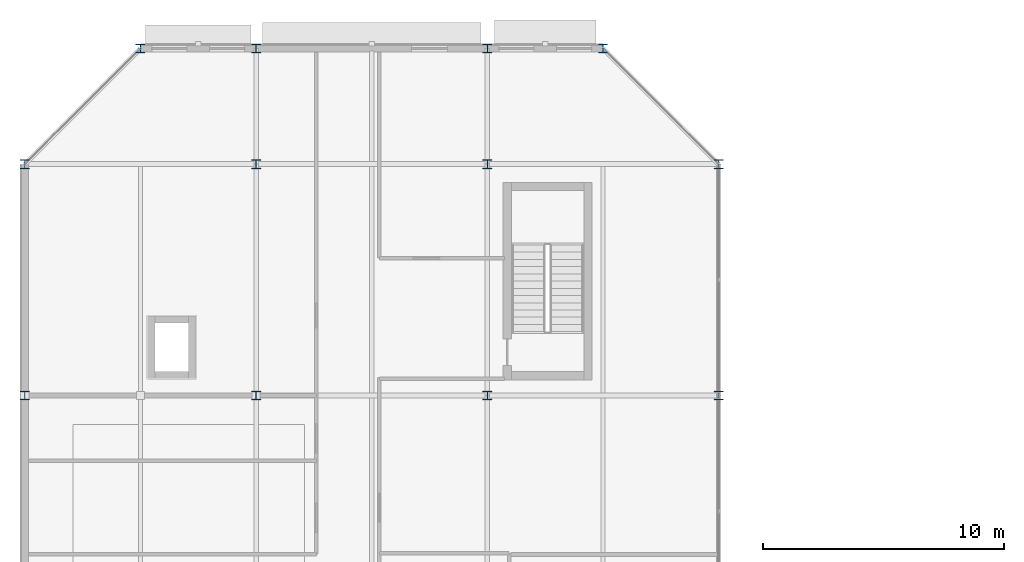
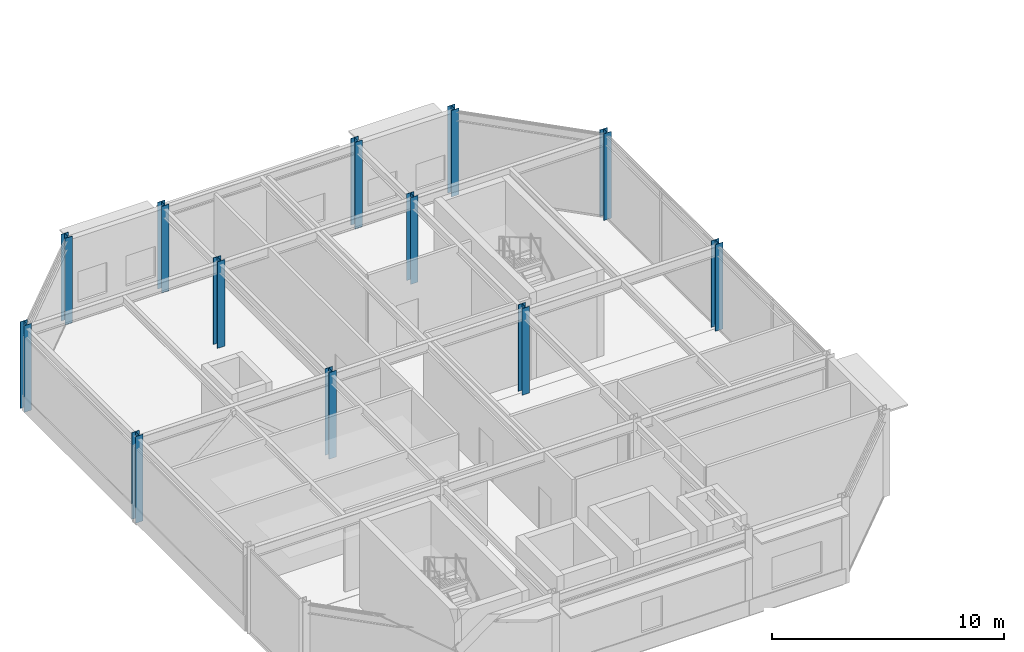
# One storey, part 9 of 116: 12 columns.
"""IFC4 building model written with IfcOpenShell, lengths in metres."""

import ifcopenshell
import ifcopenshell.guid

model = None  # the IFC model being written
_history = None  # IfcOwnerHistory: only IFC2X3 demands one
_inside = {}  # id of a spatial element -> (the spatial element, [elements in it])
_under = {}  # id of a project, library or spatial element -> (it, [spatial elements below it])
_declared = {}  # id of a project -> (the project, [libraries it declares])
_typed = {}  # id of a type object -> (the type object, [elements of that type])
_made_of = {}  # id of a material, layer set ... -> (it, [elements and type objects made of it])


def new_model(schema):
    """Start an empty IFC model of exactly this schema.

    Asked for "IFC4X3", IfcOpenShell would pick the latest addendum, in which some entities
    have other attributes; the version numbers below select the first issue.
    IFC2X3 requires an IfcOwnerHistory on every rooted entity: one is made here for all.
    """
    global model, _history
    if schema == "IFC4X3":
        model = ifcopenshell.file(schema_version=(4, 3, 0, 0))
    else:
        model = ifcopenshell.file(schema=schema)
    _inside.clear()
    _under.clear()
    _declared.clear()
    _typed.clear()
    _made_of.clear()
    _history = None
    if model.schema == "IFC2X3":
        org = make("IfcOrganization", Name="unknown")
        user = make(
            "IfcPersonAndOrganization",
            ThePerson=make("IfcPerson", FamilyName="unknown"),
            TheOrganization=org,
        )
        app = make(
            "IfcApplication",
            ApplicationDeveloper=org,
            Version="unknown",
            ApplicationFullName="unknown",
            ApplicationIdentifier="unknown",
        )
        _history = make(
            "IfcOwnerHistory",
            OwningUser=user,
            OwningApplication=app,
            ChangeAction="ADDED",
            CreationDate=0,
        )
    return model


def make(cls, **values):
    """One entity of the class cls with the attributes given. An attribute that is None is left unset."""
    return model.create_entity(
        cls, **{name: value for name, value in values.items() if value is not None}
    )


def rooted(cls, **values):
    """An entity with a GlobalId (a new one), such as an element, a storey or a relation."""
    return make(cls, GlobalId=ifcopenshell.guid.new(), OwnerHistory=_history, **values)


def si_unit(unit_type, name, prefix=None):
    """IfcSIUnit, for example si_unit("LENGTHUNIT", "METRE", prefix="MILLI")."""
    return make("IfcSIUnit", UnitType=unit_type, Prefix=prefix, Name=name)


def assignment(units):
    """IfcUnitAssignment: the units of a project."""
    return None if units is None else make("IfcUnitAssignment", Units=units)


def point(xyz):
    """IfcCartesianPoint."""
    return None if xyz is None else make("IfcCartesianPoint", Coordinates=xyz)


def direction(xyz):
    """IfcDirection."""
    return None if xyz is None else make("IfcDirection", DirectionRatios=xyz)


def frame(location, z_axis=None, x_axis=None):
    """IfcAxis2Placement3D, a coordinate frame: its origin and axes. An axis left out is left unset."""
    return make(
        "IfcAxis2Placement3D",
        Location=point(location),
        Axis=direction(z_axis),
        RefDirection=direction(x_axis),
    )


def frame_2d(location, x_axis=None):
    """IfcAxis2Placement2D, a coordinate frame in the plane: its origin and x axis."""
    return make(
        "IfcAxis2Placement2D", Location=point(location), RefDirection=direction(x_axis)
    )


def origin():
    """The frame at (0, 0, 0) with its axes left unset."""
    return frame((0.0, 0.0, 0.0))


def origin_2d():
    """The frame at (0, 0) in the plane with its x axis left unset."""
    return frame_2d((0.0, 0.0))


def place(relative_to, where):
    """IfcLocalPlacement: puts the frame where relative to a parent placement (None: the world)."""
    return make(
        "IfcLocalPlacement", PlacementRelTo=relative_to, RelativePlacement=where
    )


def context(
    kind, dimensions, precision=None, world=None, true_north=None, identifier=None
):
    """IfcGeometricRepresentationContext, for example the 3D "Model" context."""
    return make(
        "IfcGeometricRepresentationContext",
        ContextIdentifier=identifier,
        ContextType=kind,
        CoordinateSpaceDimension=dimensions,
        Precision=precision,
        WorldCoordinateSystem=world,
        TrueNorth=true_north,
    )


def subcontext(parent, identifier, kind, view, scale=None):
    """IfcGeometricRepresentationSubContext, for example "Body" below "Model"."""
    return make(
        "IfcGeometricRepresentationSubContext",
        ContextIdentifier=identifier,
        ContextType=kind,
        ParentContext=parent,
        TargetScale=scale,
        TargetView=view,
    )


def project(units=None, contexts=None):
    """IfcProject with its units and contexts."""
    return rooted(
        "IfcProject",
        Name="project",
        RepresentationContexts=contexts,
        UnitsInContext=assignment(units),
    )


def spatial(cls, under=None, at=None, **own):
    """A site, building, storey or space (cls), placed at a placement, below another one or the project."""
    s = rooted(cls, ObjectPlacement=at, **own)
    if under is not None:
        _under.setdefault(under.id(), (under, []))[1].append(s)
    return s


def profile(cls, at=None, kind="AREA", **sizes):
    """A parametric profile (cls). Its sizes go by their IFC names, for example OverallWidth=200.0."""
    return make(cls, ProfileType=kind, Position=at, **sizes)


def i_section(**sizes):
    """IfcIShapeProfileDef."""
    return profile("IfcIShapeProfileDef", **sizes)


def extrude(swept, where, along, depth):
    """IfcExtrudedAreaSolid: the profile swept, set in the frame where, extruded along a direction by depth."""
    return make(
        "IfcExtrudedAreaSolid",
        SweptArea=swept,
        Position=where,
        ExtrudedDirection=direction(along),
        Depth=depth,
    )


def shape(context_of_items, identifier, shape_type, items):
    """IfcShapeRepresentation: the items that make up one representation, for example the "Body"."""
    return make(
        "IfcShapeRepresentation",
        ContextOfItems=context_of_items,
        RepresentationIdentifier=identifier,
        RepresentationType=shape_type,
        Items=items,
    )


def material(Name=None, Category=None):
    """IfcMaterial."""
    return make("IfcMaterial", Name=Name, Category=Category)


def material_profile(
    of_material, cross_section, Name=None, Category=None, Priority=None
):
    """IfcMaterialProfile: a cross section and its material."""
    return make(
        "IfcMaterialProfile",
        Name=Name,
        Material=of_material,
        Profile=cross_section,
        Priority=Priority,
        Category=Category,
    )


def profile_set(profiles, Name=None, composite=None):
    """IfcMaterialProfileSet."""
    return make(
        "IfcMaterialProfileSet",
        Name=Name,
        MaterialProfiles=profiles,
        CompositeProfile=composite,
    )


def made_of(thing, what):
    """Note that an element or type object is made of a material, layer set ...; save() writes the relation."""
    if what is not None:
        _made_of.setdefault(what.id(), (what, []))[1].append(thing)
    return thing


def type_object(cls, material=None, **own):
    """A type object (cls), such as IfcWallType, which elements share."""
    return made_of(rooted(cls, **own), material)


def element(
    cls,
    number,
    at=None,
    inside=None,
    cuts=None,
    type_object=None,
    material=None,
    context=None,
    identifier="Body",
    shape_type=None,
    held_by="IfcProductDefinitionShape",
    body=None,
    shapes=None,
    **own,
):
    """One element of the class cls, such as IfcWall. Its Tag is "e" and its number.

    at: its placement. inside: the storey or other place that contains it. cuts: it is an
    opening in that element (IfcRelVoidsElement). A single representation is given by context,
    identifier, shape_type and body (its items); several are given by shapes. held_by: the class
    of the entity that holds the representations. save() writes the other relations.
    """
    e = rooted(cls, Tag="e%d" % number, ObjectPlacement=at, **own)
    if body is not None:
        shapes = [shape(context, identifier, shape_type, body)]
    if shapes is not None:
        e.Representation = make(held_by, Representations=shapes)
    if inside is not None:
        _inside.setdefault(inside.id(), (inside, []))[1].append(e)
    if cuts is not None:
        rooted(
            "IfcRelVoidsElement", RelatingBuildingElement=cuts, RelatedOpeningElement=e
        )
    if type_object is not None:
        _typed.setdefault(type_object.id(), (type_object, []))[1].append(e)
    return made_of(e, material)


def aggregate(whole, parts):
    """IfcRelAggregates: a whole, such as a stair, and the parts it consists of."""
    return rooted("IfcRelAggregates", RelatingObject=whole, RelatedObjects=parts)


def save(model, path):
    """Write the relations noted so far, then the file.

    IfcRelAggregates (storeys below a building ...), IfcRelContainedInSpatialStructure (elements
    in a storey), IfcRelDefinesByType, IfcRelAssociatesMaterial and IfcRelDeclares: one each for
    every whole, place, type object, material and project.
    """
    for whole, parts in _under.values():
        aggregate(whole, parts)
    for where, things in _inside.values():
        rooted(
            "IfcRelContainedInSpatialStructure",
            RelatedElements=things,
            RelatingStructure=where,
        )
    for kind, things in _typed.values():
        rooted("IfcRelDefinesByType", RelatedObjects=things, RelatingType=kind)
    for what, things in _made_of.values():
        rooted("IfcRelAssociatesMaterial", RelatedObjects=things, RelatingMaterial=what)
    for by, libraries in _declared.values():
        rooted("IfcRelDeclares", RelatingContext=by, RelatedDefinitions=libraries)
    model.write(path)


model = new_model("IFC4")

# Units and contexts
model_context = context("Model", 3, precision=1e-05, world=origin(), true_north=direction((0.0, 1.0)))
body_context = subcontext(model_context, "Body", "Model", "MODEL_VIEW")
ifc_project = project(units=[si_unit("LENGTHUNIT", "METRE"), si_unit("AREAUNIT", "SQUARE_METRE"), si_unit("VOLUMEUNIT", "CUBIC_METRE"), si_unit("PLANEANGLEUNIT", "RADIAN"), si_unit("MASSUNIT", "GRAM", prefix="KILO")], contexts=[model_context])

# Site, building, storey
site_placement = place(None, origin())
site = spatial("IfcSite", under=ifc_project, at=site_placement, CompositionType="ELEMENT")
building_placement = place(site_placement, origin())
building = spatial("IfcBuilding", under=site, at=building_placement, Name="Almandine Court Research Institute", CompositionType="ELEMENT")
storey_placement = place(building_placement, frame((0.0, 0.0, 14.35009765625)))
storey = spatial("IfcBuildingStorey", under=building, at=storey_placement, Name="L03", CompositionType="ELEMENT", Elevation=14.35009765625)

# Columns
ifc_material = material(Name="Steel ASTM A992 Grade 50", Category="steel")
ifc_material_profile_1 = material_profile(ifc_material, i_section(OverallWidth=0.3701171875, OverallDepth=0.360107421875, WebThickness=0.013916015625, FlangeThickness=0.02197265625, at=origin_2d()), Name="W360x147")
ifc_profile_set_1 = profile_set([ifc_material_profile_1], Name="Steel ASTM A992 Grade 50")
column_type_1 = type_object("IfcColumnType", Name="Col-C-W04", PredefinedType="COLUMN", material=ifc_profile_set_1)
for number, where, z_axis, x_axis, name in (
    (1, (15.60009765625, 103.199951171875, 0.0), (0.0, 0.0, 1.0), (1.0, 0.0, 0.0), "L03 V3 Column V3-X2Y3"),
    (2, (15.60009765625, 112.800048828125, 0.0), (0.0, 0.0, 1.0), (1.0, 0.0, 0.0), "L03 V3 Column V3-X2Y4"),
    (3, (25.199951171875, 103.199951171875, 0.0), (0.0, 0.0, 1.0), (1.0, 0.0, 0.0), "L03 V3 Column V3-X3Y3"),
    (4, (25.199951171875, 112.800048828125, 0.0), (0.0, 0.0, 1.0), (1.0, 0.0, 0.0), "L03 V3 Column V3-X3Y4"),
):
    element("IfcColumn", number, at=place(storey_placement, frame(where, z_axis=z_axis, x_axis=x_axis)), inside=storey, type_object=column_type_1, Name=name, PredefinedType="COLUMN", context=body_context, shape_type="SweptSolid", body=[
        extrude(i_section(OverallWidth=0.3701171875, OverallDepth=0.360107421875, WebThickness=0.013916015625, FlangeThickness=0.02197265625, at=origin_2d()), origin(), (0.0, 0.0, 1.0), 4.5498046875),
    ])
ifc_material_profile_2 = material_profile(ifc_material, i_section(OverallWidth=0.3701171875, OverallDepth=0.360107421875, WebThickness=0.013916015625, FlangeThickness=0.02197265625, at=origin_2d()), Name="W360x147")
ifc_profile_set_2 = profile_set([ifc_material_profile_2], Name="Steel ASTM A992 Grade 50")
column_type_2 = type_object("IfcColumnType", Name="Col-C-W04-E", PredefinedType="COLUMN", material=ifc_profile_set_2)
for number, where, z_axis, x_axis, name in (
    (5, (6.0, 103.199951171875, 0.0), (0.0, 0.0, 1.0), (1.0, 0.0, 0.0), "L03 V3 Column V3-X1Y3"),
    (6, (6.0, 112.800048828125, 0.0), (0.0, 0.0, 1.0), (1.0, 0.0, 0.0), "L03 V3 Column V3-X1Y4"),
    (7, (15.60009765625, 117.60009765625, 0.0), (0.0, 0.0, 1.0), (1.0, 0.0, 0.0), "L03 V3 Column V3-X2Y5"),
    (8, (25.199951171875, 117.60009765625, 0.0), (0.0, 0.0, 1.0), (1.0, 0.0, 0.0), "L03 V3 Column V3-X3Y5"),
    (9, (34.800048828125, 103.199951171875, 0.0), (0.0, 0.0, 1.0), (1.0, 0.0, 0.0), "L03 V3 Column V3-X4Y3"),
    (10, (34.800048828125, 112.800048828125, 0.0), (0.0, 0.0, 1.0), (1.0, 0.0, 0.0), "L03 V3 Column V3-X4Y4"),
    (11, (30.0, 117.60009765625, 0.0), (0.0, 0.0, 1.0), (1.0, 0.0, 0.0), "L03 V3 Column V3-CH5"),
    (12, (10.800048828125, 117.60009765625, 0.0), (0.0, 0.0, 1.0), (1.0, 0.0, 0.0), "L03 V3 Column V3-CH6"),
):
    element("IfcColumn", number, at=place(storey_placement, frame(where, z_axis=z_axis, x_axis=x_axis)), inside=storey, type_object=column_type_2, Name=name, PredefinedType="COLUMN", context=body_context, shape_type="SweptSolid", body=[
        extrude(i_section(OverallWidth=0.3701171875, OverallDepth=0.360107421875, WebThickness=0.013916015625, FlangeThickness=0.02197265625, at=origin_2d()), origin(), (0.0, 0.0, 1.0), 4.5498046875),
    ])

save(model, "model.ifc")
